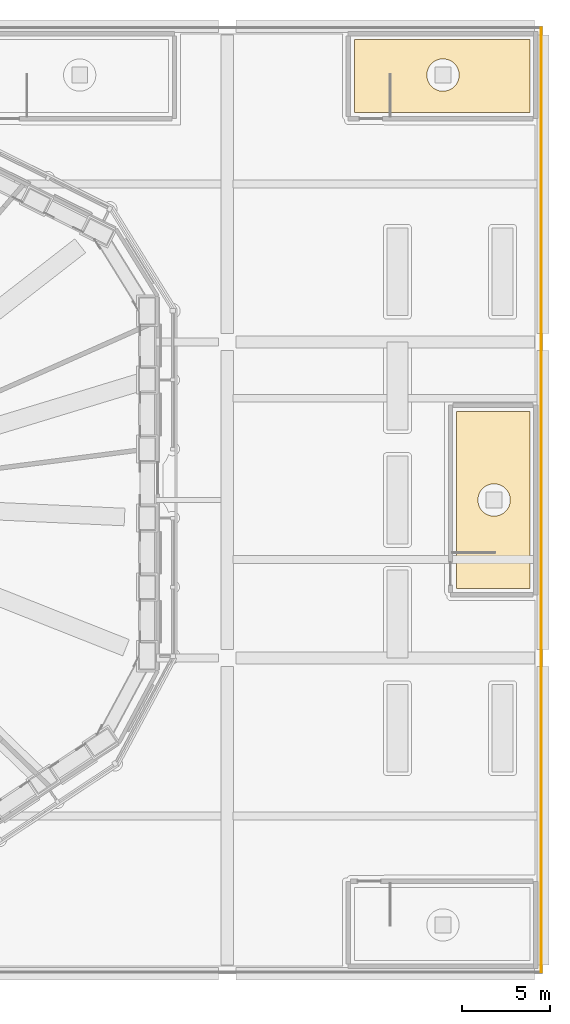
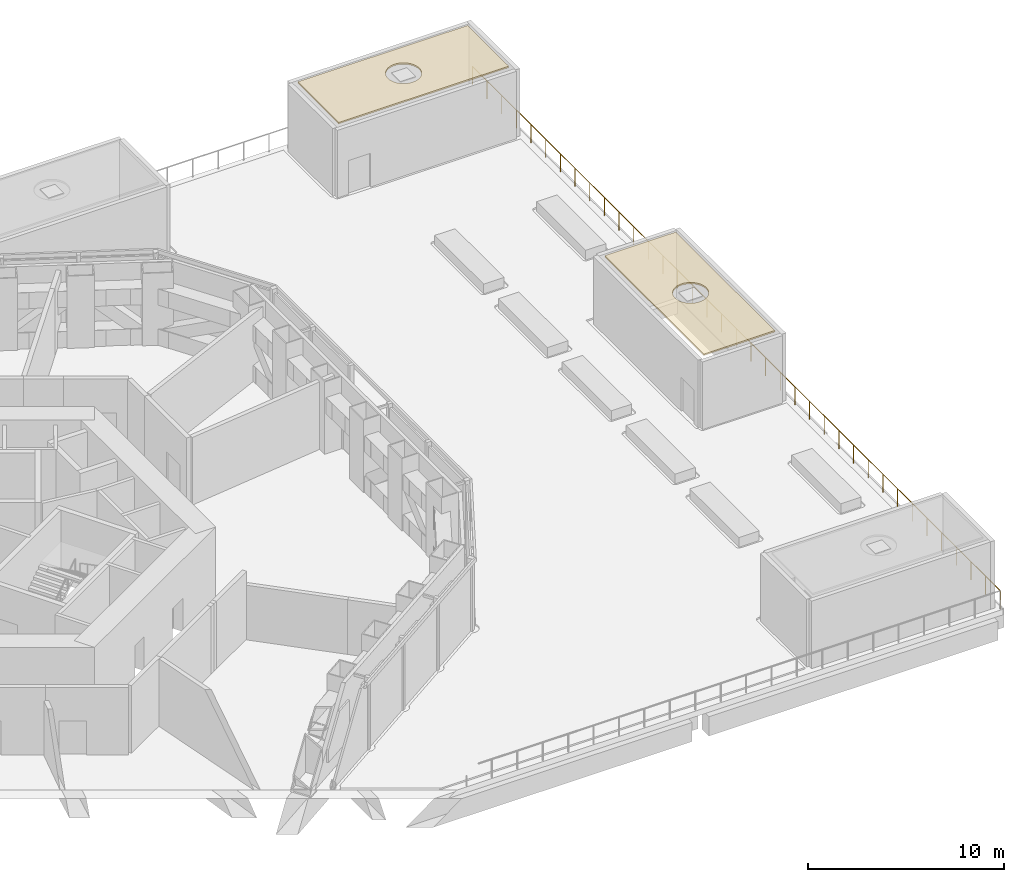
# One storey, part 19 of 20: 2 coverings, 1 railing.
"""IFC4 building model written with IfcOpenShell, lengths in metres."""

from ifc_helpers import new_model, si_unit, direction, frame, origin, origin_2d, place, context, subcontext, project, spatial, polyline, circle, outline, extrude, material, layer, layer_set, type_object, element, save


model = new_model("IFC4")

# Units and contexts
model_context = context("Model", 3, precision=1e-05, world=origin(), true_north=direction((0.0, 1.0)))
body_context = subcontext(model_context, "Body", "Model", "MODEL_VIEW")
ifc_project = project(units=[si_unit("LENGTHUNIT", "METRE"), si_unit("AREAUNIT", "SQUARE_METRE"), si_unit("VOLUMEUNIT", "CUBIC_METRE"), si_unit("PLANEANGLEUNIT", "RADIAN"), si_unit("MASSUNIT", "GRAM", prefix="KILO")], contexts=[model_context])

# Site, building, storey
site_placement = place(None, origin())
site = spatial("IfcSite", under=ifc_project, at=site_placement, CompositionType="ELEMENT")
building_placement = place(site_placement, origin())
building = spatial("IfcBuilding", under=site, at=building_placement, Name="Vanh Sen Convention Tower", CompositionType="ELEMENT")
storey_placement = place(building_placement, frame((0.0, 0.0, 34.5)))
storey = spatial("IfcBuildingStorey", under=building, at=storey_placement, Name="L05", CompositionType="ELEMENT", Elevation=34.5)

# Coverings
ifc_material_1 = material(Name="Bituminous roof membrane on rigid insulation")
ifc_layer = layer(ifc_material_1, 0.090087890625)
ifc_layer_set = layer_set([ifc_layer], Name="Bituminous roof membrane on rigid insulation")
covering_type = type_object("IfcCoveringType", Name="Roof membrane and insulation 90", PredefinedType="ROOFING", material=ifc_layer_set)
covering_1_placement = place(storey_placement, frame((0.0, 0.0, 4.199951171875)))
element("IfcCovering", 1, at=covering_1_placement, inside=storey, type_object=covering_type, Name="Roof covering RC1", PredefinedType="ROOFING", context=body_context, shape_type="SweptSolid", body=[
    extrude(outline(polyline([(34.25, 22.074951171875), (44.25, 22.074951171875), (44.25, 26.25), (34.25, 26.25), (34.25, 22.074951171875)]), holes=[polyline([(40.17724609375, 23.93603515625), (40.18310546875, 23.954833984375), (40.2001953125, 24.0234375), (40.2041015625, 24.042724609375), (40.21435546875, 24.112548828125), (40.21630859375, 24.132080078125), (40.2197265625, 24.20263671875), (40.2197265625, 24.222412109375), (40.21630859375, 24.29296875), (40.21435546875, 24.3125), (40.2041015625, 24.38232421875), (40.2001953125, 24.401611328125), (40.18310546875, 24.47021484375), (40.17724609375, 24.489013671875), (40.153564453125, 24.555419921875), (40.14599609375, 24.573486328125), (40.11572265625, 24.637451171875), (40.1064453125, 24.65478515625), (40.0703125, 24.71533203125), (40.059326171875, 24.731689453125), (40.01708984375, 24.788330078125), (40.0048828125, 24.8037109375), (39.957275390625, 24.85595703125), (39.943359375, 24.869873046875), (39.89111328125, 24.917236328125), (39.8759765625, 24.9296875), (39.819091796875, 24.9716796875), (39.802734375, 24.982666015625), (39.7421875, 25.01904296875), (39.724853515625, 25.0283203125), (39.660888671875, 25.05859375), (39.642822265625, 25.06591796875), (39.576416015625, 25.08984375), (39.5576171875, 25.095458984375), (39.489013671875, 25.11279296875), (39.4697265625, 25.116455078125), (39.39990234375, 25.126953125), (39.38037109375, 25.12890625), (39.309814453125, 25.13232421875), (39.290283203125, 25.13232421875), (39.219482421875, 25.12890625), (39.2001953125, 25.126953125), (39.130126953125, 25.116455078125), (39.11083984375, 25.11279296875), (39.04248046875, 25.095458984375), (39.023681640625, 25.08984375), (38.95703125, 25.06591796875), (38.93896484375, 25.05859375), (38.875, 25.0283203125), (38.85791015625, 25.01904296875), (38.797119140625, 24.982666015625), (38.78076171875, 24.9716796875), (38.72412109375, 24.9296875), (38.708984375, 24.917236328125), (38.656494140625, 24.869873046875), (38.642578125, 24.85595703125), (38.59521484375, 24.8037109375), (38.582763671875, 24.788330078125), (38.540771484375, 24.731689453125), (38.52978515625, 24.71533203125), (38.493408203125, 24.65478515625), (38.484130859375, 24.637451171875), (38.4541015625, 24.573486328125), (38.446533203125, 24.555419921875), (38.422607421875, 24.489013671875), (38.4169921875, 24.47021484375), (38.39990234375, 24.401611328125), (38.39599609375, 24.38232421875), (38.385498046875, 24.3125), (38.3837890625, 24.29296875), (38.380126953125, 24.222412109375), (38.380126953125, 24.20263671875), (38.3837890625, 24.132080078125), (38.385498046875, 24.112548828125), (38.39599609375, 24.042724609375), (38.39990234375, 24.0234375), (38.4169921875, 23.954833984375), (38.422607421875, 23.93603515625), (38.446533203125, 23.86962890625), (38.4541015625, 23.8515625), (38.484130859375, 23.78759765625), (38.493408203125, 23.770263671875), (38.52978515625, 23.709716796875), (38.540771484375, 23.693359375), (38.582763671875, 23.63671875), (38.59521484375, 23.621337890625), (38.642578125, 23.569091796875), (38.656494140625, 23.55517578125), (38.708984375, 23.5078125), (38.72412109375, 23.495361328125), (38.78076171875, 23.453125), (38.797119140625, 23.4423828125), (38.85791015625, 23.406005859375), (38.875, 23.396728515625), (38.93896484375, 23.366455078125), (38.95703125, 23.35888671875), (39.023681640625, 23.335205078125), (39.04248046875, 23.32958984375), (39.11083984375, 23.312255859375), (39.130126953125, 23.30859375), (39.2001953125, 23.298095703125), (39.219482421875, 23.296142578125), (39.290283203125, 23.292724609375), (39.309814453125, 23.292724609375), (39.38037109375, 23.296142578125), (39.39990234375, 23.298095703125), (39.4697265625, 23.30859375), (39.489013671875, 23.312255859375), (39.5576171875, 23.32958984375), (39.576416015625, 23.335205078125), (39.642822265625, 23.35888671875), (39.660888671875, 23.366455078125), (39.724853515625, 23.396728515625), (39.7421875, 23.406005859375), (39.802734375, 23.4423828125), (39.819091796875, 23.453125), (39.8759765625, 23.495361328125), (39.89111328125, 23.5078125), (39.943359375, 23.55517578125), (39.957275390625, 23.569091796875), (40.0048828125, 23.621337890625), (40.01708984375, 23.63671875), (40.059326171875, 23.693359375), (40.0703125, 23.709716796875), (40.1064453125, 23.770263671875), (40.11572265625, 23.78759765625), (40.14599609375, 23.8515625), (40.153564453125, 23.86962890625), (40.17724609375, 23.93603515625)])]), origin(), (0.0, 0.0, 1.0), 0.090087890625),
])
covering_2_placement = place(storey_placement, frame((0.0, 0.0, 4.199951171875)))
element("IfcCovering", 2, at=covering_2_placement, inside=storey, type_object=covering_type, Name="Roof covering RC1", PredefinedType="ROOFING", context=body_context, shape_type="SweptSolid", body=[
    extrude(outline(polyline([(44.25, -5.050048828125), (44.25, 5.050048828125), (40.074951171875, 5.050048828125), (40.074951171875, -5.050048828125), (44.25, -5.050048828125)]), holes=[polyline([(43.08984375, -0.2763671875), (43.095458984375, -0.257568359375), (43.11279296875, -0.189208984375), (43.116455078125, -0.169921875), (43.126953125, -0.099853515625), (43.12890625, -0.080322265625), (43.13232421875, -0.009765625), (43.13232421875, 0.009765625), (43.12890625, 0.080322265625), (43.126953125, 0.099853515625), (43.116455078125, 0.169921875), (43.11279296875, 0.189208984375), (43.095458984375, 0.257568359375), (43.08984375, 0.2763671875), (43.06591796875, 0.343017578125), (43.05859375, 0.361083984375), (43.0283203125, 0.4248046875), (43.01904296875, 0.442138671875), (42.982666015625, 0.502685546875), (42.9716796875, 0.519287109375), (42.9296875, 0.575927734375), (42.917236328125, 0.591064453125), (42.869873046875, 0.643310546875), (42.85595703125, 0.6572265625), (42.8037109375, 0.704833984375), (42.788330078125, 0.71728515625), (42.731689453125, 0.75927734375), (42.71533203125, 0.770263671875), (42.65478515625, 0.806396484375), (42.637451171875, 0.81591796875), (42.573486328125, 0.845947265625), (42.555419921875, 0.853515625), (42.489013671875, 0.877197265625), (42.47021484375, 0.883056640625), (42.401611328125, 0.900146484375), (42.38232421875, 0.904052734375), (42.3125, 0.914306640625), (42.29296875, 0.916259765625), (42.222412109375, 0.919921875), (42.20263671875, 0.919921875), (42.132080078125, 0.916259765625), (42.112548828125, 0.914306640625), (42.042724609375, 0.904052734375), (42.0234375, 0.900146484375), (41.954833984375, 0.883056640625), (41.93603515625, 0.877197265625), (41.86962890625, 0.853515625), (41.8515625, 0.845947265625), (41.78759765625, 0.81591796875), (41.770263671875, 0.806396484375), (41.709716796875, 0.770263671875), (41.693359375, 0.75927734375), (41.63671875, 0.71728515625), (41.621337890625, 0.704833984375), (41.569091796875, 0.6572265625), (41.55517578125, 0.643310546875), (41.5078125, 0.591064453125), (41.495361328125, 0.575927734375), (41.453125, 0.519287109375), (41.4423828125, 0.502685546875), (41.406005859375, 0.442138671875), (41.396728515625, 0.4248046875), (41.366455078125, 0.361083984375), (41.35888671875, 0.343017578125), (41.335205078125, 0.2763671875), (41.32958984375, 0.257568359375), (41.312255859375, 0.189208984375), (41.30859375, 0.169921875), (41.298095703125, 0.099853515625), (41.296142578125, 0.080322265625), (41.292724609375, 0.009765625), (41.292724609375, -0.009765625), (41.296142578125, -0.080322265625), (41.298095703125, -0.099853515625), (41.30859375, -0.169921875), (41.312255859375, -0.189208984375), (41.32958984375, -0.257568359375), (41.335205078125, -0.2763671875), (41.35888671875, -0.343017578125), (41.366455078125, -0.361083984375), (41.396728515625, -0.4248046875), (41.406005859375, -0.442138671875), (41.4423828125, -0.502685546875), (41.453125, -0.519287109375), (41.495361328125, -0.575927734375), (41.5078125, -0.591064453125), (41.55517578125, -0.643310546875), (41.569091796875, -0.6572265625), (41.621337890625, -0.704833984375), (41.63671875, -0.71728515625), (41.693359375, -0.75927734375), (41.709716796875, -0.770263671875), (41.770263671875, -0.806396484375), (41.78759765625, -0.81591796875), (41.8515625, -0.845947265625), (41.86962890625, -0.853515625), (41.93603515625, -0.877197265625), (41.954833984375, -0.883056640625), (42.0234375, -0.900146484375), (42.042724609375, -0.904052734375), (42.112548828125, -0.914306640625), (42.132080078125, -0.916259765625), (42.20263671875, -0.919921875), (42.222412109375, -0.919921875), (42.29296875, -0.916259765625), (42.3125, -0.914306640625), (42.38232421875, -0.904052734375), (42.401611328125, -0.900146484375), (42.47021484375, -0.883056640625), (42.489013671875, -0.877197265625), (42.555419921875, -0.853515625), (42.573486328125, -0.845947265625), (42.637451171875, -0.81591796875), (42.65478515625, -0.806396484375), (42.71533203125, -0.770263671875), (42.731689453125, -0.75927734375), (42.788330078125, -0.71728515625), (42.8037109375, -0.704833984375), (42.85595703125, -0.6572265625), (42.869873046875, -0.643310546875), (42.917236328125, -0.591064453125), (42.9296875, -0.575927734375), (42.9716796875, -0.519287109375), (42.982666015625, -0.502685546875), (43.01904296875, -0.442138671875), (43.0283203125, -0.4248046875), (43.05859375, -0.361083984375), (43.06591796875, -0.343017578125), (43.08984375, -0.2763671875)])]), origin(), (0.0, 0.0, 1.0), 0.090087890625),
])

# Railing
ifc_material_2 = material(Name="Stainless steel posts with toughened glass infill", Category="steel")
railing_type = type_object("IfcRailingType", Name="Terrace guard 1150", PredefinedType="GUARDRAIL", material=ifc_material_2)
railing_placement = place(storey_placement, frame((44.89990234375, -26.89990234375, 0.0)))
element("IfcRailing", 3, at=railing_placement, inside=storey, type_object=railing_type, Name="Terrace guard E L05", PredefinedType="GUARDRAIL", context=body_context, shape_type="SweptSolid", body=[
    extrude(circle(Radius=0.02392578125, at=origin_2d()), frame((0.0, 0.0, 1.1259765625), z_axis=(0.0, 1.0, 0.0), x_axis=(-1.0, 0.0, 0.0)), (0.0, 0.0, 1.0), 53.7998046875),
    extrude(circle(Radius=0.02099609375, at=origin_2d()), origin(), (0.0, 0.0, 1.0), 1.101806640625),
    extrude(circle(Radius=0.02099609375, at=origin_2d()), frame((0.0, 1.494384765625, 0.0)), (0.0, 0.0, 1.0), 1.101806640625),
    extrude(circle(Radius=0.02099609375, at=origin_2d()), frame((0.0, 2.98876953125, 0.0)), (0.0, 0.0, 1.0), 1.101806640625),
    extrude(circle(Radius=0.02099609375, at=origin_2d()), frame((0.0, 4.4833984375, 0.0)), (0.0, 0.0, 1.0), 1.101806640625),
    extrude(circle(Radius=0.02099609375, at=origin_2d()), frame((0.0, 5.977783203125, 0.0)), (0.0, 0.0, 1.0), 1.101806640625),
    extrude(circle(Radius=0.02099609375, at=origin_2d()), frame((0.0, 7.47216796875, 0.0)), (0.0, 0.0, 1.0), 1.101806640625),
    extrude(circle(Radius=0.02099609375, at=origin_2d()), frame((0.0, 8.966552734375, 0.0)), (0.0, 0.0, 1.0), 1.101806640625),
    extrude(circle(Radius=0.02099609375, at=origin_2d()), frame((0.0, 10.461181640625, 0.0)), (0.0, 0.0, 1.0), 1.101806640625),
    extrude(circle(Radius=0.02099609375, at=origin_2d()), frame((0.0, 11.95556640625, 0.0)), (0.0, 0.0, 1.0), 1.101806640625),
    extrude(circle(Radius=0.02099609375, at=origin_2d()), frame((0.0, 13.449951171875, 0.0)), (0.0, 0.0, 1.0), 1.101806640625),
    extrude(circle(Radius=0.02099609375, at=origin_2d()), frame((0.0, 14.9443359375, 0.0)), (0.0, 0.0, 1.0), 1.101806640625),
    extrude(circle(Radius=0.02099609375, at=origin_2d()), frame((0.0, 16.438720703125, 0.0)), (0.0, 0.0, 1.0), 1.101806640625),
    extrude(circle(Radius=0.02099609375, at=origin_2d()), frame((0.0, 17.933349609375, 0.0)), (0.0, 0.0, 1.0), 1.101806640625),
    extrude(circle(Radius=0.02099609375, at=origin_2d()), frame((0.0, 19.427734375, 0.0)), (0.0, 0.0, 1.0), 1.101806640625),
    extrude(circle(Radius=0.02099609375, at=origin_2d()), frame((0.0, 20.922119140625, 0.0)), (0.0, 0.0, 1.0), 1.101806640625),
    extrude(circle(Radius=0.02099609375, at=origin_2d()), frame((0.0, 22.41650390625, 0.0)), (0.0, 0.0, 1.0), 1.101806640625),
    extrude(circle(Radius=0.02099609375, at=origin_2d()), frame((0.0, 23.9111328125, 0.0)), (0.0, 0.0, 1.0), 1.101806640625),
    extrude(circle(Radius=0.02099609375, at=origin_2d()), frame((0.0, 25.405517578125, 0.0)), (0.0, 0.0, 1.0), 1.101806640625),
    extrude(circle(Radius=0.02099609375, at=origin_2d()), frame((0.0, 26.89990234375, 0.0)), (0.0, 0.0, 1.0), 1.101806640625),
    extrude(circle(Radius=0.02099609375, at=origin_2d()), frame((0.0, 28.394287109375, 0.0)), (0.0, 0.0, 1.0), 1.101806640625),
    extrude(circle(Radius=0.02099609375, at=origin_2d()), frame((0.0, 29.888671875, 0.0)), (0.0, 0.0, 1.0), 1.101806640625),
    extrude(circle(Radius=0.02099609375, at=origin_2d()), frame((0.0, 31.38330078125, 0.0)), (0.0, 0.0, 1.0), 1.101806640625),
    extrude(circle(Radius=0.02099609375, at=origin_2d()), frame((0.0, 32.877685546875, 0.0)), (0.0, 0.0, 1.0), 1.101806640625),
    extrude(circle(Radius=0.02099609375, at=origin_2d()), frame((0.0, 34.3720703125, 0.0)), (0.0, 0.0, 1.0), 1.101806640625),
    extrude(circle(Radius=0.02099609375, at=origin_2d()), frame((0.0, 35.866455078125, 0.0)), (0.0, 0.0, 1.0), 1.101806640625),
    extrude(circle(Radius=0.02099609375, at=origin_2d()), frame((0.0, 37.361083984375, 0.0)), (0.0, 0.0, 1.0), 1.101806640625),
    extrude(circle(Radius=0.02099609375, at=origin_2d()), frame((0.0, 38.85546875, 0.0)), (0.0, 0.0, 1.0), 1.101806640625),
    extrude(circle(Radius=0.02099609375, at=origin_2d()), frame((0.0, 40.349853515625, 0.0)), (0.0, 0.0, 1.0), 1.101806640625),
    extrude(circle(Radius=0.02099609375, at=origin_2d()), frame((0.0, 41.84423828125, 0.0)), (0.0, 0.0, 1.0), 1.101806640625),
    extrude(circle(Radius=0.02099609375, at=origin_2d()), frame((0.0, 43.338623046875, 0.0)), (0.0, 0.0, 1.0), 1.101806640625),
    extrude(circle(Radius=0.02099609375, at=origin_2d()), frame((0.0, 44.833251953125, 0.0)), (0.0, 0.0, 1.0), 1.101806640625),
    extrude(circle(Radius=0.02099609375, at=origin_2d()), frame((0.0, 46.32763671875, 0.0)), (0.0, 0.0, 1.0), 1.101806640625),
    extrude(circle(Radius=0.02099609375, at=origin_2d()), frame((0.0, 47.822021484375, 0.0)), (0.0, 0.0, 1.0), 1.101806640625),
    extrude(circle(Radius=0.02099609375, at=origin_2d()), frame((0.0, 49.31640625, 0.0)), (0.0, 0.0, 1.0), 1.101806640625),
    extrude(circle(Radius=0.02099609375, at=origin_2d()), frame((0.0, 50.81103515625, 0.0)), (0.0, 0.0, 1.0), 1.101806640625),
    extrude(circle(Radius=0.02099609375, at=origin_2d()), frame((0.0, 52.305419921875, 0.0)), (0.0, 0.0, 1.0), 1.101806640625),
    extrude(circle(Radius=0.02099609375, at=origin_2d()), frame((0.0, 53.7998046875, 0.0)), (0.0, 0.0, 1.0), 1.101806640625),
])

save(model, "model.ifc")
